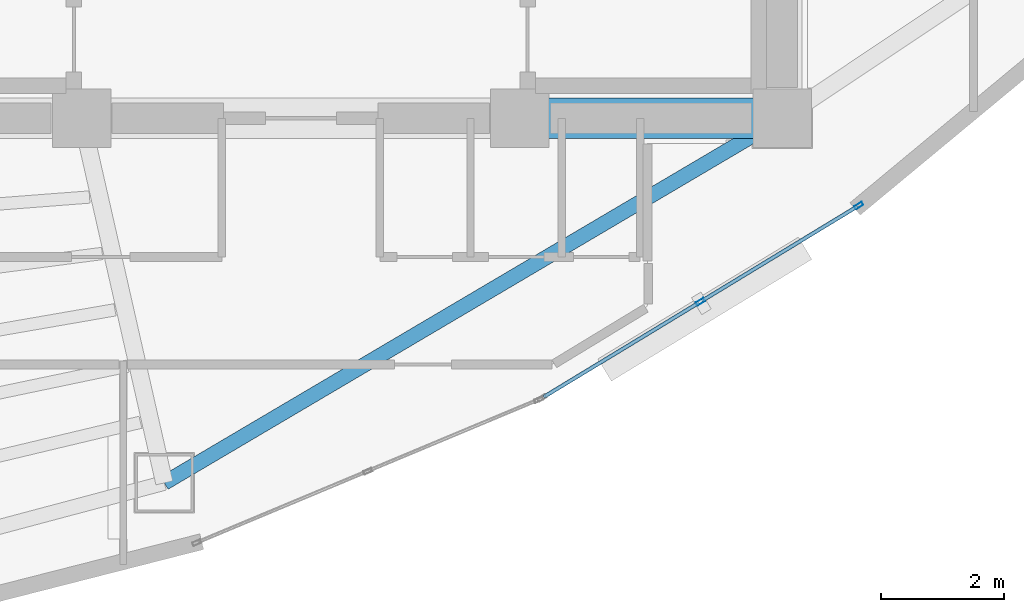
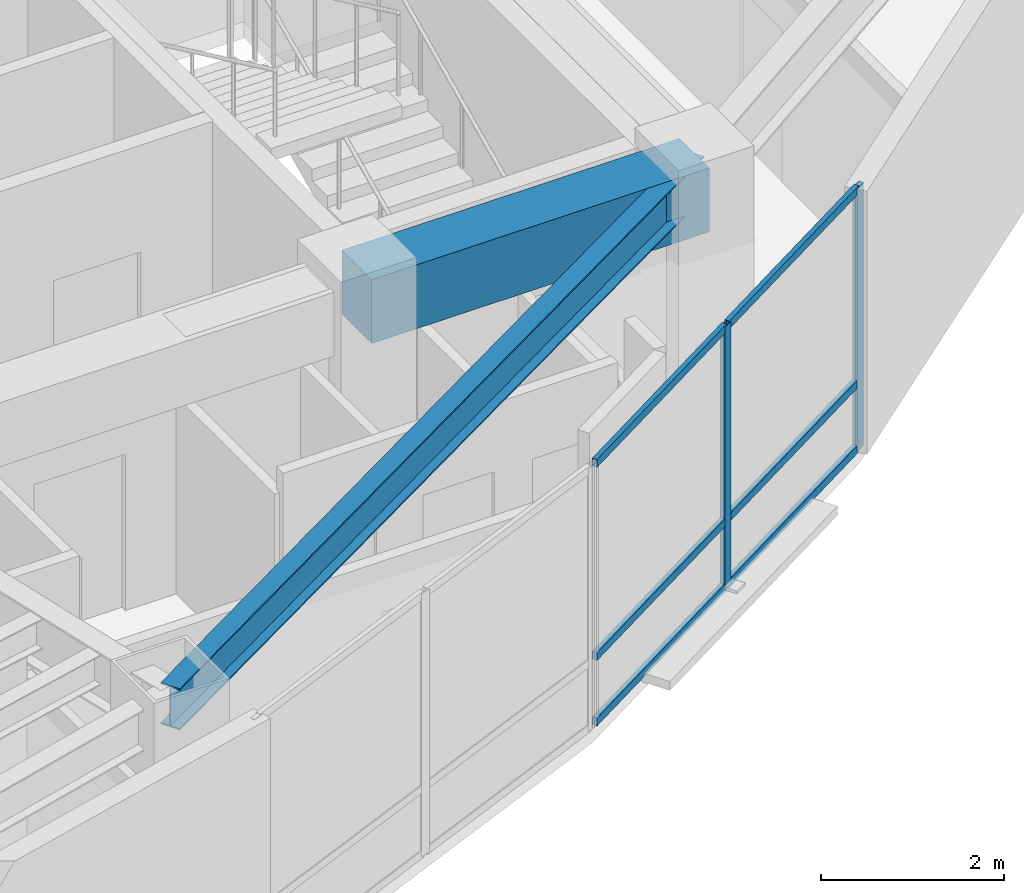
# One storey, part 5 of 15: 8 members, 2 beams, 1 element without a shape of its own.
"""IFC4 building model written with IfcOpenShell, lengths in metres."""

from ifc_helpers import new_model, si_unit, direction, frame, origin, origin_2d, place, context, subcontext, project, spatial, rectangle, hollow_rectangle, i_section, extrude, material, layer, layer_set, material_profile, profile_set, type_object, element, aggregate, save


model = new_model("IFC4")

# Units and contexts
model_context = context("Model", 3, precision=1e-05, world=origin(), true_north=direction((0.0, 1.0)))
body_context = subcontext(model_context, "Body", "Model", "MODEL_VIEW")
ifc_project = project(units=[si_unit("LENGTHUNIT", "METRE"), si_unit("AREAUNIT", "SQUARE_METRE"), si_unit("VOLUMEUNIT", "CUBIC_METRE"), si_unit("PLANEANGLEUNIT", "RADIAN"), si_unit("MASSUNIT", "GRAM", prefix="KILO")], contexts=[model_context])

# Site, building, storey
site_placement = place(None, origin())
site = spatial("IfcSite", under=ifc_project, at=site_placement, CompositionType="ELEMENT")
building_placement = place(site_placement, origin())
building = spatial("IfcBuilding", under=site, at=building_placement, Name="Menara Vayukalpa", CompositionType="ELEMENT")
storey_placement = place(building_placement, frame((0.0, 0.0, 187.800048828125)))
storey = spatial("IfcBuildingStorey", under=building, at=storey_placement, Name="L47", CompositionType="ELEMENT", Elevation=187.800048828125)

# Beams
ifc_material_1 = material(Name="Concrete C60/75", Category="concrete")
ifc_material_profile_1 = material_profile(ifc_material_1, rectangle(XDim=0.64990234375, YDim=0.85009765625, at=origin_2d()), Name="RC 650x850")
ifc_profile_set_1 = profile_set([ifc_material_profile_1], Name="Concrete C60/75")
beam_type_1 = type_object("IfcBeamType", Name="BM-CB1", PredefinedType="BEAM", material=ifc_profile_set_1)
beam_1_placement = place(storey_placement, frame((29.14990234375, 17.199951171875, 3.074951171875), z_axis=(1.0, 0.0, 0.0), x_axis=(0.0, 1.0, 0.0)))
element("IfcBeam", 1, at=beam_1_placement, inside=storey, type_object=beam_type_1, Name="L47 Core Tie Beam CBR3", PredefinedType="BEAM", context=body_context, shape_type="SweptSolid", body=[
    extrude(rectangle(XDim=0.64990234375, YDim=0.85009765625, at=origin_2d()), origin(), (0.0, 0.0, 1.0), 4.25),
])
ifc_material_2 = material(Name="Steel S355", Category="steel")
ifc_material_profile_2 = material_profile(ifc_material_2, i_section(OverallWidth=0.239990234375, OverallDepth=0.550048828125, WebThickness=0.010986328125, FlangeThickness=0.01904296875, at=origin_2d()), Name="WF 550x240x11x19")
ifc_profile_set_2 = profile_set([ifc_material_profile_2], Name="Steel S355")
beam_type_2 = type_object("IfcBeamType", Name="BM-SP2", PredefinedType="SPANDREL", material=ifc_profile_set_2)
beam_2_placement = place(storey_placement, frame((23.389404296875, 11.29150390625, 3.224853515625), z_axis=(0.861184403346, 0.508292655302, 0.0), x_axis=(-0.508292655302, 0.861184403346, 0.0)))
element("IfcBeam", 2, at=beam_2_placement, inside=storey, type_object=beam_type_2, Name="L47 Perimeter Spandrel Beam SP08", PredefinedType="SPANDREL", context=body_context, shape_type="SweptSolid", body=[
    extrude(i_section(OverallWidth=0.239990234375, OverallDepth=0.550048828125, WebThickness=0.010986328125, FlangeThickness=0.01904296875, at=origin_2d()), origin(), (0.0, 0.0, 1.0), 11.6240234375),
])

# Curtain wall, members
ifc_material_3 = material(Name="Anodised Terracotta Aluminium Alloy 6063-T6", Category="masonry")
ifc_layer = layer(ifc_material_3, 0.139892578125)
ifc_layer_set = layer_set([ifc_layer], Name="Anodised Terracotta Aluminium Alloy 6063-T6")
curtain_wall_type = type_object("IfcCurtainWallType", Name="CW-CW5", PredefinedType="USERDEFINED", material=ifc_layer_set)
curtain_wall_placement = place(storey_placement, origin())
curtain_wall = element("IfcCurtainWall", 3, at=curtain_wall_placement, inside=storey, type_object=curtain_wall_type, Name="L47 High Rise Tapered Curtain Wall CW5 17", ObjectType="UNITISED", PredefinedType="USERDEFINED")
ifc_material_4 = material(Name="Anodised Terracotta Aluminium Alloy 6063-T6", Category="masonry")
ifc_material_profile_3 = material_profile(ifc_material_4, hollow_rectangle(XDim=0.06005859375, YDim=0.139892578125, WallThickness=0.00341796875, at=origin_2d()), Name="ALU 60x140x3.5")
ifc_profile_set_3 = profile_set([ifc_material_profile_3], Name="Anodised Terracotta Aluminium Alloy 6063-T6")
member_type_1 = type_object("IfcMemberType", Name="CWM-CW5", PredefinedType="MULLION", material=ifc_profile_set_3)
member_1_placement = place(storey_placement, frame((32.075439453125, 14.226318359375, 0.0), z_axis=(0.0, 0.0, 1.0), x_axis=(-0.519179911779, 0.854664974832, 0.0)))
member_1 = element("IfcMember", 4, at=member_1_placement, type_object=member_type_1, Name="CW5 mullion 2", PredefinedType="MULLION", context=body_context, shape_type="SweptSolid", body=[
    extrude(hollow_rectangle(XDim=0.06005859375, YDim=0.139892578125, WallThickness=0.00341796875, at=origin_2d()), origin(), (0.0, 0.0, 1.0), 3.5),
])
member_2_placement = place(storey_placement, frame((34.6416015625, 15.78515625, 0.0), z_axis=(0.0, 0.0, 1.0), x_axis=(-0.519179911779, 0.854664974832, 0.0)))
member_2 = element("IfcMember", 5, at=member_2_placement, type_object=member_type_1, Name="CW5 mullion 3", PredefinedType="MULLION", context=body_context, shape_type="SweptSolid", body=[
    extrude(hollow_rectangle(XDim=0.06005859375, YDim=0.139892578125, WallThickness=0.00341796875, at=origin_2d()), origin(), (0.0, 0.0, 1.0), 3.5),
])
ifc_material_5 = material(Name="Anodised Terracotta Aluminium Alloy 6063-T6", Category="masonry")
ifc_material_profile_4 = material_profile(ifc_material_5, hollow_rectangle(XDim=0.06005859375, YDim=0.10498046875, WallThickness=0.0029296875, at=origin_2d()), Name="ALU 60x105x3")
ifc_profile_set_4 = profile_set([ifc_material_profile_4], Name="Anodised Terracotta Aluminium Alloy 6063-T6")
member_type_2 = type_object("IfcMemberType", Name="CWT-CW5", PredefinedType="USERDEFINED", material=ifc_profile_set_4)
member_3_placement = place(storey_placement, frame((29.53515625, 12.68310546875, 0.030029296875), z_axis=(0.85466128475, 0.51918598628, 0.0), x_axis=(-0.51918598628, 0.85466128475, 0.0)))
member_3 = element("IfcMember", 6, at=member_3_placement, type_object=member_type_2, Name="CW5 transom 1.1", ObjectType="TRANSOM", PredefinedType="USERDEFINED", context=body_context, shape_type="SweptSolid", body=[
    extrude(hollow_rectangle(XDim=0.06005859375, YDim=0.10498046875, WallThickness=0.0029296875, at=origin_2d()), origin(), (0.0, 0.0, 1.0), 2.9423828125),
])
member_4_placement = place(storey_placement, frame((29.53515625, 12.68310546875, 0.89990234375), z_axis=(0.85466128475, 0.51918598628, 0.0), x_axis=(-0.51918598628, 0.85466128475, 0.0)))
member_4 = element("IfcMember", 7, at=member_4_placement, type_object=member_type_2, Name="CW5 transom 1.2", ObjectType="TRANSOM", PredefinedType="USERDEFINED", context=body_context, shape_type="SweptSolid", body=[
    extrude(hollow_rectangle(XDim=0.06005859375, YDim=0.10498046875, WallThickness=0.0029296875, at=origin_2d()), origin(), (0.0, 0.0, 1.0), 2.9423828125),
])
member_5_placement = place(storey_placement, frame((29.53515625, 12.68310546875, 3.469970703125), z_axis=(0.85466128475, 0.51918598628, 0.0), x_axis=(-0.51918598628, 0.85466128475, 0.0)))
member_5 = element("IfcMember", 8, at=member_5_placement, type_object=member_type_2, Name="CW5 transom 1.3", ObjectType="TRANSOM", PredefinedType="USERDEFINED", context=body_context, shape_type="SweptSolid", body=[
    extrude(hollow_rectangle(XDim=0.06005859375, YDim=0.10498046875, WallThickness=0.0029296875, at=origin_2d()), origin(), (0.0, 0.0, 1.0), 2.9423828125),
])
member_6_placement = place(storey_placement, frame((32.10107421875, 14.241943359375, 0.030029296875), z_axis=(0.854683649113, 0.519149169255, 0.0), x_axis=(-0.519149169255, 0.854683649113, 0.0)))
member_6 = element("IfcMember", 9, at=member_6_placement, type_object=member_type_2, Name="CW5 transom 2.1", ObjectType="TRANSOM", PredefinedType="USERDEFINED", context=body_context, shape_type="SweptSolid", body=[
    extrude(hollow_rectangle(XDim=0.06005859375, YDim=0.10498046875, WallThickness=0.0029296875, at=origin_2d()), origin(), (0.0, 0.0, 1.0), 2.9423828125),
])
member_7_placement = place(storey_placement, frame((32.10107421875, 14.241943359375, 0.89990234375), z_axis=(0.854683649113, 0.519149169255, 0.0), x_axis=(-0.519149169255, 0.854683649113, 0.0)))
member_7 = element("IfcMember", 10, at=member_7_placement, type_object=member_type_2, Name="CW5 transom 2.2", ObjectType="TRANSOM", PredefinedType="USERDEFINED", context=body_context, shape_type="SweptSolid", body=[
    extrude(hollow_rectangle(XDim=0.06005859375, YDim=0.10498046875, WallThickness=0.0029296875, at=origin_2d()), origin(), (0.0, 0.0, 1.0), 2.9423828125),
])
member_8_placement = place(storey_placement, frame((32.10107421875, 14.241943359375, 3.469970703125), z_axis=(0.854683649113, 0.519149169255, 0.0), x_axis=(-0.519149169255, 0.854683649113, 0.0)))
member_8 = element("IfcMember", 11, at=member_8_placement, type_object=member_type_2, Name="CW5 transom 2.3", ObjectType="TRANSOM", PredefinedType="USERDEFINED", context=body_context, shape_type="SweptSolid", body=[
    extrude(hollow_rectangle(XDim=0.06005859375, YDim=0.10498046875, WallThickness=0.0029296875, at=origin_2d()), origin(), (0.0, 0.0, 1.0), 2.9423828125),
])
aggregate(curtain_wall, [member_1, member_2, member_3, member_4, member_5, member_6, member_7, member_8])

save(model, "model.ifc")
